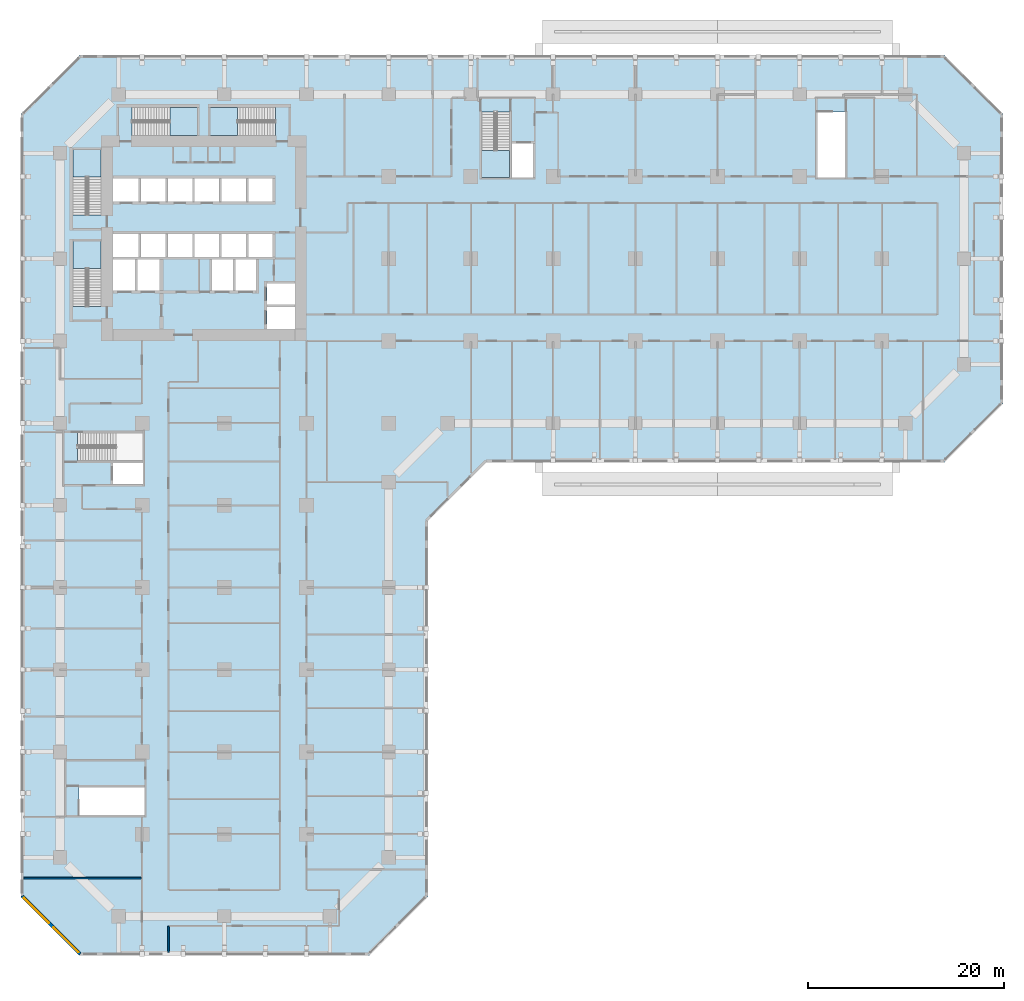
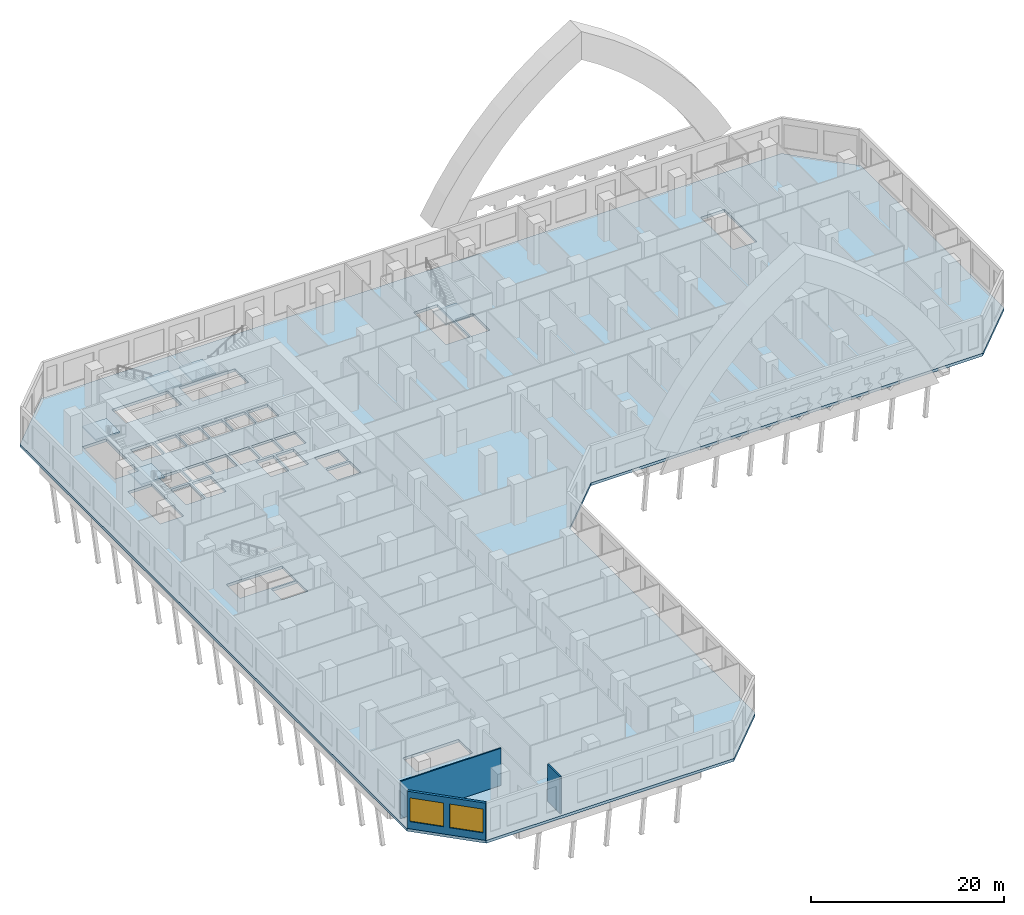
# One storey, part 3 of 25: 6 slabs, 3 walls, 2 windows, 2 openings, 5 elements without a shape of their own.
"""IFC4 building model written with IfcOpenShell, lengths in metres."""

import ifcopenshell
import ifcopenshell.guid

model = None  # the IFC model being written
_history = None  # IfcOwnerHistory: only IFC2X3 demands one
_inside = {}  # id of a spatial element -> (the spatial element, [elements in it])
_under = {}  # id of a project, library or spatial element -> (it, [spatial elements below it])
_declared = {}  # id of a project -> (the project, [libraries it declares])
_typed = {}  # id of a type object -> (the type object, [elements of that type])
_made_of = {}  # id of a material, layer set ... -> (it, [elements and type objects made of it])


def new_model(schema):
    """Start an empty IFC model of exactly this schema.

    Asked for "IFC4X3", IfcOpenShell would pick the latest addendum, in which some entities
    have other attributes; the version numbers below select the first issue.
    IFC2X3 requires an IfcOwnerHistory on every rooted entity: one is made here for all.
    """
    global model, _history
    if schema == "IFC4X3":
        model = ifcopenshell.file(schema_version=(4, 3, 0, 0))
    else:
        model = ifcopenshell.file(schema=schema)
    _inside.clear()
    _under.clear()
    _declared.clear()
    _typed.clear()
    _made_of.clear()
    _history = None
    if model.schema == "IFC2X3":
        org = make("IfcOrganization", Name="unknown")
        user = make(
            "IfcPersonAndOrganization",
            ThePerson=make("IfcPerson", FamilyName="unknown"),
            TheOrganization=org,
        )
        app = make(
            "IfcApplication",
            ApplicationDeveloper=org,
            Version="unknown",
            ApplicationFullName="unknown",
            ApplicationIdentifier="unknown",
        )
        _history = make(
            "IfcOwnerHistory",
            OwningUser=user,
            OwningApplication=app,
            ChangeAction="ADDED",
            CreationDate=0,
        )
    return model


def make(cls, **values):
    """One entity of the class cls with the attributes given. An attribute that is None is left unset."""
    return model.create_entity(
        cls, **{name: value for name, value in values.items() if value is not None}
    )


def rooted(cls, **values):
    """An entity with a GlobalId (a new one), such as an element, a storey or a relation."""
    return make(cls, GlobalId=ifcopenshell.guid.new(), OwnerHistory=_history, **values)


def si_unit(unit_type, name, prefix=None):
    """IfcSIUnit, for example si_unit("LENGTHUNIT", "METRE", prefix="MILLI")."""
    return make("IfcSIUnit", UnitType=unit_type, Prefix=prefix, Name=name)


def assignment(units):
    """IfcUnitAssignment: the units of a project."""
    return None if units is None else make("IfcUnitAssignment", Units=units)


def point(xyz):
    """IfcCartesianPoint."""
    return None if xyz is None else make("IfcCartesianPoint", Coordinates=xyz)


def direction(xyz):
    """IfcDirection."""
    return None if xyz is None else make("IfcDirection", DirectionRatios=xyz)


def frame(location, z_axis=None, x_axis=None):
    """IfcAxis2Placement3D, a coordinate frame: its origin and axes. An axis left out is left unset."""
    return make(
        "IfcAxis2Placement3D",
        Location=point(location),
        Axis=direction(z_axis),
        RefDirection=direction(x_axis),
    )


def frame_2d(location, x_axis=None):
    """IfcAxis2Placement2D, a coordinate frame in the plane: its origin and x axis."""
    return make(
        "IfcAxis2Placement2D", Location=point(location), RefDirection=direction(x_axis)
    )


def origin():
    """The frame at (0, 0, 0) with its axes left unset."""
    return frame((0.0, 0.0, 0.0))


def place(relative_to, where):
    """IfcLocalPlacement: puts the frame where relative to a parent placement (None: the world)."""
    return make(
        "IfcLocalPlacement", PlacementRelTo=relative_to, RelativePlacement=where
    )


def context(
    kind, dimensions, precision=None, world=None, true_north=None, identifier=None
):
    """IfcGeometricRepresentationContext, for example the 3D "Model" context."""
    return make(
        "IfcGeometricRepresentationContext",
        ContextIdentifier=identifier,
        ContextType=kind,
        CoordinateSpaceDimension=dimensions,
        Precision=precision,
        WorldCoordinateSystem=world,
        TrueNorth=true_north,
    )


def subcontext(parent, identifier, kind, view, scale=None):
    """IfcGeometricRepresentationSubContext, for example "Body" below "Model"."""
    return make(
        "IfcGeometricRepresentationSubContext",
        ContextIdentifier=identifier,
        ContextType=kind,
        ParentContext=parent,
        TargetScale=scale,
        TargetView=view,
    )


def project(units=None, contexts=None):
    """IfcProject with its units and contexts."""
    return rooted(
        "IfcProject",
        Name="project",
        RepresentationContexts=contexts,
        UnitsInContext=assignment(units),
    )


def spatial(cls, under=None, at=None, **own):
    """A site, building, storey or space (cls), placed at a placement, below another one or the project."""
    s = rooted(cls, ObjectPlacement=at, **own)
    if under is not None:
        _under.setdefault(under.id(), (under, []))[1].append(s)
    return s


def polyline(points):
    """IfcPolyline through the points."""
    return make("IfcPolyline", Points=[point(p) for p in points])


def profile(cls, at=None, kind="AREA", **sizes):
    """A parametric profile (cls). Its sizes go by their IFC names, for example OverallWidth=200.0."""
    return make(cls, ProfileType=kind, Position=at, **sizes)


def rectangle(**sizes):
    """IfcRectangleProfileDef."""
    return profile("IfcRectangleProfileDef", **sizes)


def outline(outer, holes=None, kind="AREA"):
    """IfcArbitraryClosedProfileDef: a profile drawn as a closed curve; with holes, ...WithVoids."""
    if holes is None:
        return make("IfcArbitraryClosedProfileDef", ProfileType=kind, OuterCurve=outer)
    return make(
        "IfcArbitraryProfileDefWithVoids",
        ProfileType=kind,
        OuterCurve=outer,
        InnerCurves=holes,
    )


def extrude(swept, where, along, depth):
    """IfcExtrudedAreaSolid: the profile swept, set in the frame where, extruded along a direction by depth."""
    return make(
        "IfcExtrudedAreaSolid",
        SweptArea=swept,
        Position=where,
        ExtrudedDirection=direction(along),
        Depth=depth,
    )


def shape(context_of_items, identifier, shape_type, items):
    """IfcShapeRepresentation: the items that make up one representation, for example the "Body"."""
    return make(
        "IfcShapeRepresentation",
        ContextOfItems=context_of_items,
        RepresentationIdentifier=identifier,
        RepresentationType=shape_type,
        Items=items,
    )


def material(Name=None, Category=None):
    """IfcMaterial."""
    return make("IfcMaterial", Name=Name, Category=Category)


def layer(
    of_material, thickness, ventilated=None, Name=None, Category=None, Priority=None
):
    """IfcMaterialLayer: one layer of a wall or slab, of a material (None: an air gap)."""
    return make(
        "IfcMaterialLayer",
        Material=of_material,
        LayerThickness=thickness,
        IsVentilated=ventilated,
        Name=Name,
        Category=Category,
        Priority=Priority,
    )


def layer_set(layers, Name=None):
    """IfcMaterialLayerSet."""
    return make("IfcMaterialLayerSet", MaterialLayers=layers, LayerSetName=Name)


def made_of(thing, what):
    """Note that an element or type object is made of a material, layer set ...; save() writes the relation."""
    if what is not None:
        _made_of.setdefault(what.id(), (what, []))[1].append(thing)
    return thing


def type_object(cls, material=None, **own):
    """A type object (cls), such as IfcWallType, which elements share."""
    return made_of(rooted(cls, **own), material)


def element(
    cls,
    number,
    at=None,
    inside=None,
    cuts=None,
    type_object=None,
    material=None,
    context=None,
    identifier="Body",
    shape_type=None,
    held_by="IfcProductDefinitionShape",
    body=None,
    shapes=None,
    **own,
):
    """One element of the class cls, such as IfcWall. Its Tag is "e" and its number.

    at: its placement. inside: the storey or other place that contains it. cuts: it is an
    opening in that element (IfcRelVoidsElement). A single representation is given by context,
    identifier, shape_type and body (its items); several are given by shapes. held_by: the class
    of the entity that holds the representations. save() writes the other relations.
    """
    e = rooted(cls, Tag="e%d" % number, ObjectPlacement=at, **own)
    if body is not None:
        shapes = [shape(context, identifier, shape_type, body)]
    if shapes is not None:
        e.Representation = make(held_by, Representations=shapes)
    if inside is not None:
        _inside.setdefault(inside.id(), (inside, []))[1].append(e)
    if cuts is not None:
        rooted(
            "IfcRelVoidsElement", RelatingBuildingElement=cuts, RelatedOpeningElement=e
        )
    if type_object is not None:
        _typed.setdefault(type_object.id(), (type_object, []))[1].append(e)
    return made_of(e, material)


def fill(opening, filler):
    """IfcRelFillsElement: the door or window that sits in an opening."""
    return rooted(
        "IfcRelFillsElement",
        RelatingOpeningElement=opening,
        RelatedBuildingElement=filler,
    )


def aggregate(whole, parts):
    """IfcRelAggregates: a whole, such as a stair, and the parts it consists of."""
    return rooted("IfcRelAggregates", RelatingObject=whole, RelatedObjects=parts)


def save(model, path):
    """Write the relations noted so far, then the file.

    IfcRelAggregates (storeys below a building ...), IfcRelContainedInSpatialStructure (elements
    in a storey), IfcRelDefinesByType, IfcRelAssociatesMaterial and IfcRelDeclares: one each for
    every whole, place, type object, material and project.
    """
    for whole, parts in _under.values():
        aggregate(whole, parts)
    for where, things in _inside.values():
        rooted(
            "IfcRelContainedInSpatialStructure",
            RelatedElements=things,
            RelatingStructure=where,
        )
    for kind, things in _typed.values():
        rooted("IfcRelDefinesByType", RelatedObjects=things, RelatingType=kind)
    for what, things in _made_of.values():
        rooted("IfcRelAssociatesMaterial", RelatedObjects=things, RelatingMaterial=what)
    for by, libraries in _declared.values():
        rooted("IfcRelDeclares", RelatingContext=by, RelatedDefinitions=libraries)
    model.write(path)


model = new_model("IFC4")

# Units and contexts
model_context = context("Model", 3, precision=1e-05, world=origin(), true_north=direction((0.0, 1.0)))
body_context = subcontext(model_context, "Body", "Model", "MODEL_VIEW")
ifc_project = project(units=[si_unit("LENGTHUNIT", "METRE"), si_unit("AREAUNIT", "SQUARE_METRE"), si_unit("VOLUMEUNIT", "CUBIC_METRE"), si_unit("PLANEANGLEUNIT", "RADIAN"), si_unit("MASSUNIT", "GRAM", prefix="KILO")], contexts=[model_context])

# Site, building, storey
site_placement = place(None, origin())
site = spatial("IfcSite", under=ifc_project, at=site_placement, CompositionType="ELEMENT")
building_placement = place(site_placement, origin())
building = spatial("IfcBuilding", under=site, at=building_placement, Name="Kawkab Arch Medical Tower", CompositionType="ELEMENT")
storey_placement = place(building_placement, frame((0.0, 0.0, 29.0)))
storey = spatial("IfcBuildingStorey", under=building, at=storey_placement, Name="L06", CompositionType="ELEMENT", Elevation=29.0)

# Stair, slab
ifc_material_1 = material(Name="Concrete C40/50", Category="concrete")
stair_type = type_object("IfcStairType", Name="Exit stair 1350", PredefinedType="HALF_TURN_STAIR", material=ifc_material_1)
placement_1 = place(storey_placement, origin())
stair_1 = element("IfcStair", 1, at=placement_1, inside=storey, type_object=stair_type, Name="L06 Exit stair ST1", PredefinedType="HALF_TURN_STAIR")
ifc_material_2 = material(Name="Concrete C40/50", Category="concrete")
ifc_layer_1 = layer(ifc_material_2, 0.199951171875)
ifc_layer_set_1 = layer_set([ifc_layer_1], Name="Concrete C40/50")
slab_type_1 = type_object("IfcSlabType", Name="Exit stair landing 200", PredefinedType="LANDING", material=ifc_layer_set_1)
placement_2 = place(storey_placement, frame((0.0, 0.0, 2.39990234375)))
slab_1 = element("IfcSlab", 2, at=placement_2, type_object=slab_type_1, Name="ST1 landing 1", PredefinedType="LANDING", context=body_context, shape_type="SweptSolid", body=[
    extrude(outline(polyline([(4.199951171875, -8.429931640625), (4.199951171875, -5.64990234375), (1.35009765625, -5.64990234375), (1.35009765625, -8.429931640625), (4.199951171875, -8.429931640625)])), origin(), (0.0, 0.0, 1.0), 0.2001953125),
])
aggregate(stair_1, [slab_1])

stair_2 = element("IfcStair", 3, at=placement_1, inside=storey, type_object=stair_type, Name="L06 Exit stair ST2", PredefinedType="HALF_TURN_STAIR")
slab_2 = element("IfcSlab", 4, at=placement_2, type_object=slab_type_1, Name="ST2 landing 1", PredefinedType="LANDING", context=body_context, shape_type="SweptSolid", body=[
    extrude(outline(polyline([(4.199951171875, -17.780029296875), (4.199951171875, -15.0), (1.35009765625, -15.0), (1.35009765625, -17.780029296875), (4.199951171875, -17.780029296875)])), origin(), (0.0, 0.0, 1.0), 0.2001953125),
])
aggregate(stair_2, [slab_2])

stair_3 = element("IfcStair", 5, at=placement_1, inside=storey, type_object=stair_type, Name="L06 Exit stair ST3", PredefinedType="HALF_TURN_STAIR")
slab_3 = element("IfcSlab", 6, at=placement_2, type_object=slab_type_1, Name="ST3 landing 1", PredefinedType="LANDING", context=body_context, shape_type="SweptSolid", body=[
    extrude(outline(polyline([(11.27001953125, -4.199951171875), (14.050048828125, -4.199951171875), (14.050048828125, -1.35009765625), (11.27001953125, -1.35009765625), (11.27001953125, -4.199951171875)])), origin(), (0.0, 0.0, 1.0), 0.2001953125),
])
aggregate(stair_3, [slab_3])

stair_4 = element("IfcStair", 7, at=placement_1, inside=storey, type_object=stair_type, Name="L06 Exit stair ST4", PredefinedType="HALF_TURN_STAIR")
slab_4 = element("IfcSlab", 8, at=placement_2, type_object=slab_type_1, Name="ST4 landing 1", PredefinedType="LANDING", context=body_context, shape_type="SweptSolid", body=[
    extrude(outline(polyline([(18.1298828125, -1.35009765625), (15.35009765625, -1.35009765625), (15.35009765625, -4.199951171875), (18.1298828125, -4.199951171875), (18.1298828125, -1.35009765625)])), origin(), (0.0, 0.0, 1.0), 0.2001953125),
])
aggregate(stair_4, [slab_4])

stair_5 = element("IfcStair", 9, at=placement_1, inside=storey, type_object=stair_type, Name="L06 Exit stair ST5", PredefinedType="HALF_TURN_STAIR")
slab_5 = element("IfcSlab", 10, at=placement_2, type_object=slab_type_1, Name="ST5 landing 1", PredefinedType="LANDING", context=body_context, shape_type="SweptSolid", body=[
    extrude(outline(polyline([(43.10009765625, -5.719970703125), (43.10009765625, -8.5), (45.949951171875, -8.5), (45.949951171875, -5.719970703125), (43.10009765625, -5.719970703125)])), origin(), (0.0, 0.0, 1.0), 0.2001953125),
])
aggregate(stair_5, [slab_5])

# Slab
ifc_material_3 = material(Name="Concrete C40/50", Category="concrete")
ifc_layer_2 = layer(ifc_material_3, 0.35009765625)
ifc_layer_set_2 = layer_set([ifc_layer_2], Name="Concrete C40/50")
slab_type_2 = type_object("IfcSlabType", Name="Flat plate 350 C40/50", PredefinedType="FLOOR", material=ifc_layer_set_2)
slab_6_placement = place(storey_placement, frame((0.0, 0.0, -0.35009765625)))
element("IfcSlab", 11, at=slab_6_placement, inside=storey, type_object=slab_type_2, Name="Floor slab L06", PredefinedType="FLOOR", context=body_context, shape_type="SweptSolid", body=[
    extrude(outline(polyline([(2.0, 4.0), (90.39990234375, 4.0), (96.39990234375, -2.0), (96.39990234375, -31.60009765625), (90.39990234375, -37.60009765625), (43.60009765625, -37.60009765625), (37.60009765625, -43.60009765625), (37.60009765625, -82.0), (31.60009765625, -88.0), (2.0, -88.0), (-4.0, -82.0), (-4.0, -2.0), (2.0, 4.0)]), holes=[polyline([(8.675048828125, -73.64990234375), (8.675048828125, -70.800048828125), (1.97509765625, -70.800048828125), (1.97509765625, -73.64990234375), (8.675048828125, -73.64990234375)]), polyline([(8.5, -37.64990234375), (5.425048828125, -37.64990234375), (5.425048828125, -39.85009765625), (8.5, -39.85009765625), (8.5, -37.64990234375)]), polyline([(1.800048828125, -37.449951171875), (8.5, -37.449951171875), (8.5, -34.60009765625), (1.800048828125, -34.60009765625), (1.800048828125, -37.449951171875)]), polyline([(5.39990234375, -16.89990234375), (5.39990234375, -20.050048828125), (7.675048828125, -20.050048828125), (7.675048828125, -16.89990234375), (5.39990234375, -16.89990234375)]), polyline([(10.199951171875, -20.050048828125), (10.199951171875, -16.89990234375), (7.925048828125, -16.89990234375), (7.925048828125, -20.050048828125), (10.199951171875, -20.050048828125)]), polyline([(4.199951171875, -21.699951171875), (4.199951171875, -15.0), (1.35009765625, -15.0), (1.35009765625, -21.699951171875), (4.199951171875, -21.699951171875)]), polyline([(5.39990234375, -14.25), (5.39990234375, -16.60009765625), (8.050048828125, -16.60009765625), (8.050048828125, -14.25), (5.39990234375, -14.25)]), polyline([(8.25, -14.25), (8.25, -16.60009765625), (10.800048828125, -16.60009765625), (10.800048828125, -14.25), (8.25, -14.25)]), polyline([(11.0, -16.60009765625), (13.52490234375, -16.60009765625), (13.52490234375, -14.25), (11.0, -14.25), (11.0, -16.60009765625)]), polyline([(5.39990234375, -8.60009765625), (5.39990234375, -10.949951171875), (8.050048828125, -10.949951171875), (8.050048828125, -8.60009765625), (5.39990234375, -8.60009765625)]), polyline([(8.25, -8.60009765625), (8.25, -10.949951171875), (10.800048828125, -10.949951171875), (10.800048828125, -8.60009765625), (8.25, -8.60009765625)]), polyline([(13.550048828125, -10.949951171875), (13.550048828125, -8.60009765625), (11.0, -8.60009765625), (11.0, -10.949951171875), (13.550048828125, -10.949951171875)]), polyline([(4.199951171875, -12.35009765625), (4.199951171875, -5.64990234375), (1.35009765625, -5.64990234375), (1.35009765625, -12.35009765625), (4.199951171875, -12.35009765625)]), polyline([(7.35009765625, -4.199951171875), (14.050048828125, -4.199951171875), (14.050048828125, -1.35009765625), (7.35009765625, -1.35009765625), (7.35009765625, -4.199951171875)]), polyline([(24.0, -21.72509765625), (21.14990234375, -21.72509765625), (21.14990234375, -24.0), (24.0, -24.0), (24.0, -21.72509765625)]), polyline([(24.0, -21.47509765625), (24.0, -19.35009765625), (21.14990234375, -19.35009765625), (21.14990234375, -21.47509765625), (24.0, -21.47509765625)]), polyline([(15.52490234375, -20.050048828125), (17.675048828125, -20.050048828125), (17.675048828125, -16.89990234375), (15.52490234375, -16.89990234375), (15.52490234375, -20.050048828125)]), polyline([(17.925048828125, -20.050048828125), (20.050048828125, -20.050048828125), (20.050048828125, -16.89990234375), (17.925048828125, -16.89990234375), (17.925048828125, -20.050048828125)]), polyline([(13.77490234375, -14.25), (13.77490234375, -16.60009765625), (16.27490234375, -16.60009765625), (16.27490234375, -14.25), (13.77490234375, -14.25)]), polyline([(16.52490234375, -14.25), (16.52490234375, -16.60009765625), (19.02490234375, -16.60009765625), (19.02490234375, -14.25), (16.52490234375, -14.25)]), polyline([(19.27490234375, -16.60009765625), (21.75, -16.60009765625), (21.75, -14.25), (19.27490234375, -14.25), (19.27490234375, -16.60009765625)]), polyline([(16.300048828125, -10.949951171875), (16.300048828125, -8.60009765625), (13.75, -8.60009765625), (13.75, -10.949951171875), (16.300048828125, -10.949951171875)]), polyline([(16.5, -10.949951171875), (19.050048828125, -10.949951171875), (19.050048828125, -8.60009765625), (16.5, -8.60009765625), (16.5, -10.949951171875)]), polyline([(21.75, -10.949951171875), (21.75, -8.60009765625), (19.25, -8.60009765625), (19.25, -10.949951171875), (21.75, -10.949951171875)]), polyline([(46.14990234375, -5.02490234375), (46.14990234375, -8.5), (48.35009765625, -8.5), (48.35009765625, -5.02490234375), (46.14990234375, -5.02490234375)]), polyline([(43.10009765625, -1.800048828125), (43.10009765625, -8.5), (45.949951171875, -8.5), (45.949951171875, -1.800048828125), (43.10009765625, -1.800048828125)]), polyline([(77.39990234375, -1.800048828125), (77.39990234375, -8.5), (80.25, -8.5), (80.25, -1.800048828125), (77.39990234375, -1.800048828125)]), polyline([(22.050048828125, -1.35009765625), (15.35009765625, -1.35009765625), (15.35009765625, -4.199951171875), (22.050048828125, -4.199951171875), (22.050048828125, -1.35009765625)])]), origin(), (0.0, 0.0, 1.0), 0.35009765625),
])

# Walls
ifc_material_4 = material(Name="Gypsum board partition on steel studs, mineral wool", Category="steel")
ifc_layer_3 = layer(ifc_material_4, 0.14990234375)
ifc_layer_set_3 = layer_set([ifc_layer_3], Name="Gypsum board partition on steel studs, mineral wool")
wall_type_1 = type_object("IfcWallType", Name="Partition 150", PredefinedType="PARTITIONING", material=ifc_layer_set_3)
wall_1_placement = place(storey_placement, frame((-3.679931640625, -80.10009765625, 0.0), z_axis=(0.0, 0.0, 1.0), x_axis=(1.0, 0.0, 0.0)))
element("IfcWall", 12, at=wall_1_placement, inside=storey, type_object=wall_type_1, Name="Partition 150 w006", PredefinedType="PARTITIONING", context=body_context, shape_type="SweptSolid", body=[
    extrude(rectangle(XDim=12.0048828125, YDim=0.14990234375, at=frame_2d((6.00244140625, 0.0))), origin(), (0.0, 0.0, 1.0), 4.699951171875),
])
wall_2_placement = place(storey_placement, frame((11.10009765625, -87.679931640625, 0.0), z_axis=(0.0, 0.0, 1.0), x_axis=(0.0, 1.0, 0.0)))
element("IfcWall", 13, at=wall_2_placement, inside=storey, type_object=wall_type_1, Name="Partition 150 w064", PredefinedType="PARTITIONING", context=body_context, shape_type="SweptSolid", body=[
    extrude(rectangle(XDim=2.659912109375, YDim=0.14990234375, at=frame_2d((1.330078125, 0.0))), origin(), (0.0, 0.0, 1.0), 4.699951171875),
])

# Wall, openings, windows
ifc_material_5 = material(Name="Bronze clad insulated wall panel")
ifc_layer_4 = layer(ifc_material_5, 0.300048828125)
ifc_layer_set_4 = layer_set([ifc_layer_4], Name="Bronze clad insulated wall panel")
wall_type_2 = type_object("IfcWallType", Name="Podium external wall 300", PredefinedType="SOLIDWALL", material=ifc_layer_set_4)
wall_3_placement = place(storey_placement, frame((-3.85009765625, -81.93798828125, 0.0), z_axis=(0.0, 0.0, 1.0), x_axis=(0.707106781187, -0.707106781187, 0.0)))
wall_3 = element("IfcWall", 14, at=wall_3_placement, inside=storey, type_object=wall_type_2, Name="Podium external wall L06 R02", PredefinedType="SOLIDWALL", context=body_context, shape_type="SweptSolid", body=[
    extrude(rectangle(XDim=8.361083984375, YDim=0.300048828125, at=frame_2d((4.1806640625, 0.0))), origin(), (0.0, 0.0, 1.0), 4.699951171875),
])
opening_1_placement = place(wall_3_placement, frame((0.259033203125, 0.0, 0.89990234375)))
opening_1 = element("IfcOpeningElement", 15, at=opening_1_placement, cuts=wall_3, Name="Opening PBW360-30-S9", PredefinedType="OPENING", context=body_context, shape_type="SweptSolid", body=[
    extrude(rectangle(XDim=3.60009765625, YDim=3.0, at=frame_2d((1.800048828125, 1.5))), frame((0.0, 0.159912109375, 0.0), z_axis=(0.0, -1.0, 0.0), x_axis=(1.0, 0.0, 0.0)), (0.0, 0.0, 1.0), 0.320068359375),
])
opening_2_placement = place(wall_3_placement, frame((4.501708984375, 0.0, 0.89990234375)))
opening_2 = element("IfcOpeningElement", 16, at=opening_2_placement, cuts=wall_3, Name="Opening PBW360-30-S9", PredefinedType="OPENING", context=body_context, shape_type="SweptSolid", body=[
    extrude(rectangle(XDim=3.60009765625, YDim=3.0, at=frame_2d((1.800048828125, 1.5))), frame((0.0, 0.159912109375, 0.0), z_axis=(0.0, -1.0, 0.0), x_axis=(1.0, 0.0, 0.0)), (0.0, 0.0, 1.0), 0.320068359375),
])
ifc_material_6 = material(Name="Bronze anodised aluminium louvred window", Category="aluminium")
window_type = type_object("IfcWindowType", Name="Podium band window 3600 x 3000 sill 900", PartitioningType="DOUBLE_PANEL_VERTICAL", PredefinedType="WINDOW", material=ifc_material_6)
window_1_placement = place(opening_1_placement, origin())
window_1 = element("IfcWindow", 17, at=window_1_placement, inside=storey, type_object=window_type, Name="Band window L06 R02.1", OverallHeight=3.0, OverallWidth=3.60009765625, PartitioningType="SINGLE_PANEL", PredefinedType="WINDOW", context=body_context, shape_type="SweptSolid", body=[
    extrude(rectangle(XDim=3.60009765625, YDim=3.0, at=frame_2d((1.800048828125, 1.5))), frame((0.0, 0.030029296875, 0.0), z_axis=(0.0, -1.0, 0.0), x_axis=(1.0, 0.0, 0.0)), (0.0, 0.0, 1.0), 0.06005859375),
])
fill(opening_1, window_1)
window_2_placement = place(opening_2_placement, origin())
window_2 = element("IfcWindow", 18, at=window_2_placement, inside=storey, type_object=window_type, Name="Band window L06 R02.2", OverallHeight=3.0, OverallWidth=3.60009765625, PartitioningType="SINGLE_PANEL", PredefinedType="WINDOW", context=body_context, shape_type="SweptSolid", body=[
    extrude(rectangle(XDim=3.60009765625, YDim=3.0, at=frame_2d((1.800048828125, 1.5))), frame((0.0, 0.030029296875, 0.0), z_axis=(0.0, -1.0, 0.0), x_axis=(1.0, 0.0, 0.0)), (0.0, 0.0, 1.0), 0.06005859375),
])
fill(opening_2, window_2)

save(model, "model.ifc")
